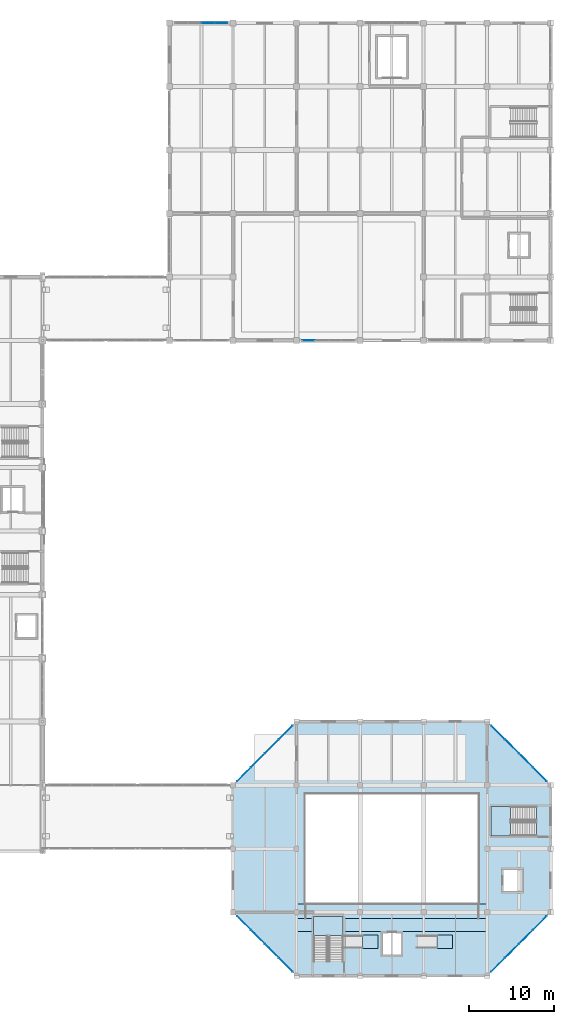
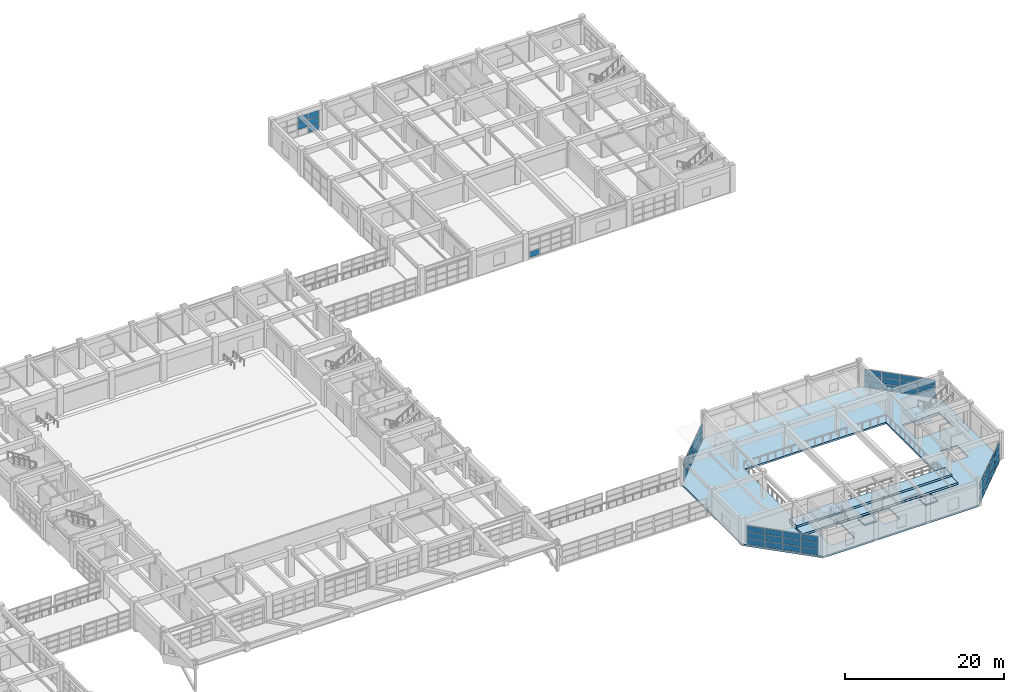
# One storey, part 91 of 132: 54 plates, 7 slabs, 8 elements without a shape of their own.
"""IFC4 building model written with IfcOpenShell, lengths in metres."""

from ifc_helpers import new_model, si_unit, direction, frame, origin, origin_2d, place, context, subcontext, project, spatial, polyline, rectangle, outline, extrude, material, layer, layer_set, type_object, element, aggregate, save


model = new_model("IFC4")

# Units and contexts
model_context = context("Model", 3, precision=1e-05, world=origin(), true_north=direction((0.0, 1.0)))
body_context = subcontext(model_context, "Body", "Model", "MODEL_VIEW")
ifc_project = project(units=[si_unit("LENGTHUNIT", "METRE"), si_unit("AREAUNIT", "SQUARE_METRE"), si_unit("VOLUMEUNIT", "CUBIC_METRE"), si_unit("PLANEANGLEUNIT", "RADIAN"), si_unit("MASSUNIT", "GRAM", prefix="KILO")], contexts=[model_context])

# Site, building, storey
site_placement = place(None, origin())
site = spatial("IfcSite", under=ifc_project, at=site_placement, CompositionType="ELEMENT")
building_placement = place(site_placement, origin())
building = spatial("IfcBuilding", under=site, at=building_placement, Name="Qasida Concert Hall", CompositionType="ELEMENT")
storey_placement = place(building_placement, frame((0.0, 0.0, 4.800048828125)))
storey = spatial("IfcBuildingStorey", under=building, at=storey_placement, Name="L01", CompositionType="ELEMENT", Elevation=4.800048828125)

# Curtain wall, plates
ifc_material_1 = material(Name="Architectural bronze-anodized aluminium and low-E glass", Category="aluminium")
curtain_wall_type_1 = type_object("IfcCurtainWallType", Name="CW-07", PredefinedType="NOTDEFINED", material=ifc_material_1)
curtain_wall_1_placement = place(storey_placement, origin())
curtain_wall_1 = element("IfcCurtainWall", 1, at=curtain_wall_1_placement, inside=storey, type_object=curtain_wall_type_1, Name="L01 curtain wall CW-07 0143", PredefinedType="NOTDEFINED")
ifc_material_2 = material(Name="Solar-control low-E double glazing", Category="glass")
ifc_layer_1 = layer(ifc_material_2, 0.031982421875, Name="Solar-control low-E double glazing")
ifc_layer_set_1 = layer_set([ifc_layer_1], Name="Solar-control low-E double glazing")
plate_type = type_object("IfcPlateType", Name="PLT-CWP-2", PredefinedType="CURTAIN_PANEL", material=ifc_layer_set_1)
plate_1_placement = place(storey_placement, frame((158.77783203125, 1.27783203125, 0.059814453125), z_axis=(0.0, 0.0, 1.0), x_axis=(0.707106781187, 0.707106781187, 0.0)))
plate_1 = element("IfcPlate", 2, at=plate_1_placement, type_object=plate_type, Name="CW-07 panel 1.1", PredefinedType="CURTAIN_PANEL", context=body_context, shape_type="SweptSolid", body=[
    extrude(rectangle(XDim=2.244140625, YDim=0.031982421875, at=origin_2d()), origin(), (0.0, 0.0, 1.0), 0.90673828125),
])
plate_2_placement = place(storey_placement, frame((158.77783203125, 1.27783203125, 1.026611328125), z_axis=(0.0, 0.0, 1.0), x_axis=(0.707106781187, 0.707106781187, 0.0)))
plate_2 = element("IfcPlate", 3, at=plate_2_placement, type_object=plate_type, Name="CW-07 panel 1.2", PredefinedType="CURTAIN_PANEL", context=body_context, shape_type="SweptSolid", body=[
    extrude(rectangle(XDim=2.244140625, YDim=0.031982421875, at=origin_2d()), origin(), (0.0, 0.0, 1.0), 0.9365234375),
])
plate_3_placement = place(storey_placement, frame((158.77783203125, 1.27783203125, 2.023193359375), z_axis=(0.0, 0.0, 1.0), x_axis=(0.707106781187, 0.707106781187, 0.0)))
plate_3 = element("IfcPlate", 4, at=plate_3_placement, type_object=plate_type, Name="CW-07 panel 1.3", PredefinedType="CURTAIN_PANEL", context=body_context, shape_type="SweptSolid", body=[
    extrude(rectangle(XDim=2.244140625, YDim=0.031982421875, at=origin_2d()), origin(), (0.0, 0.0, 1.0), 0.90673828125),
])
plate_4_placement = place(storey_placement, frame((160.422119140625, 2.922119140625, 0.059814453125), z_axis=(0.0, 0.0, 1.0), x_axis=(0.707106781187, 0.707106781187, 0.0)))
plate_4 = element("IfcPlate", 5, at=plate_4_placement, type_object=plate_type, Name="CW-07 panel 2.1", PredefinedType="CURTAIN_PANEL", context=body_context, shape_type="SweptSolid", body=[
    extrude(rectangle(XDim=2.276611328125, YDim=0.031982421875, at=origin_2d()), origin(), (0.0, 0.0, 1.0), 0.90673828125),
])
plate_5_placement = place(storey_placement, frame((160.422119140625, 2.922119140625, 1.026611328125), z_axis=(0.0, 0.0, 1.0), x_axis=(0.707106781187, 0.707106781187, 0.0)))
plate_5 = element("IfcPlate", 6, at=plate_5_placement, type_object=plate_type, Name="CW-07 panel 2.2", PredefinedType="CURTAIN_PANEL", context=body_context, shape_type="SweptSolid", body=[
    extrude(rectangle(XDim=2.276611328125, YDim=0.031982421875, at=origin_2d()), origin(), (0.0, 0.0, 1.0), 0.9365234375),
])
plate_6_placement = place(storey_placement, frame((160.422119140625, 2.922119140625, 2.023193359375), z_axis=(0.0, 0.0, 1.0), x_axis=(0.707106781187, 0.707106781187, 0.0)))
plate_6 = element("IfcPlate", 7, at=plate_6_placement, type_object=plate_type, Name="CW-07 panel 2.3", PredefinedType="CURTAIN_PANEL", context=body_context, shape_type="SweptSolid", body=[
    extrude(rectangle(XDim=2.276611328125, YDim=0.031982421875, at=origin_2d()), origin(), (0.0, 0.0, 1.0), 0.90673828125),
])
plate_7_placement = place(storey_placement, frame((162.077880859375, 4.577880859375, 0.059814453125), z_axis=(0.0, 0.0, 1.0), x_axis=(0.707106781187, 0.707106781187, 0.0)))
plate_7 = element("IfcPlate", 8, at=plate_7_placement, type_object=plate_type, Name="CW-07 panel 3.1", PredefinedType="CURTAIN_PANEL", context=body_context, shape_type="SweptSolid", body=[
    extrude(rectangle(XDim=2.276611328125, YDim=0.031982421875, at=origin_2d()), origin(), (0.0, 0.0, 1.0), 0.90673828125),
])
plate_8_placement = place(storey_placement, frame((162.077880859375, 4.577880859375, 1.026611328125), z_axis=(0.0, 0.0, 1.0), x_axis=(0.707106781187, 0.707106781187, 0.0)))
plate_8 = element("IfcPlate", 9, at=plate_8_placement, type_object=plate_type, Name="CW-07 panel 3.2", PredefinedType="CURTAIN_PANEL", context=body_context, shape_type="SweptSolid", body=[
    extrude(rectangle(XDim=2.276611328125, YDim=0.031982421875, at=origin_2d()), origin(), (0.0, 0.0, 1.0), 0.9365234375),
])
plate_9_placement = place(storey_placement, frame((162.077880859375, 4.577880859375, 2.023193359375), z_axis=(0.0, 0.0, 1.0), x_axis=(0.707106781187, 0.707106781187, 0.0)))
plate_9 = element("IfcPlate", 10, at=plate_9_placement, type_object=plate_type, Name="CW-07 panel 3.3", PredefinedType="CURTAIN_PANEL", context=body_context, shape_type="SweptSolid", body=[
    extrude(rectangle(XDim=2.276611328125, YDim=0.031982421875, at=origin_2d()), origin(), (0.0, 0.0, 1.0), 0.90673828125),
])
plate_10_placement = place(storey_placement, frame((163.72216796875, 6.22216796875, 0.059814453125), z_axis=(0.0, 0.0, 1.0), x_axis=(0.707106781187, 0.707106781187, 0.0)))
plate_10 = element("IfcPlate", 11, at=plate_10_placement, type_object=plate_type, Name="CW-07 panel 4.1", PredefinedType="CURTAIN_PANEL", context=body_context, shape_type="SweptSolid", body=[
    extrude(rectangle(XDim=2.244140625, YDim=0.031982421875, at=origin_2d()), origin(), (0.0, 0.0, 1.0), 0.90673828125),
])
plate_11_placement = place(storey_placement, frame((163.72216796875, 6.22216796875, 1.026611328125), z_axis=(0.0, 0.0, 1.0), x_axis=(0.707106781187, 0.707106781187, 0.0)))
plate_11 = element("IfcPlate", 12, at=plate_11_placement, type_object=plate_type, Name="CW-07 panel 4.2", PredefinedType="CURTAIN_PANEL", context=body_context, shape_type="SweptSolid", body=[
    extrude(rectangle(XDim=2.244140625, YDim=0.031982421875, at=origin_2d()), origin(), (0.0, 0.0, 1.0), 0.9365234375),
])
plate_12_placement = place(storey_placement, frame((163.72216796875, 6.22216796875, 2.023193359375), z_axis=(0.0, 0.0, 1.0), x_axis=(0.707106781187, 0.707106781187, 0.0)))
plate_12 = element("IfcPlate", 13, at=plate_12_placement, type_object=plate_type, Name="CW-07 panel 4.3", PredefinedType="CURTAIN_PANEL", context=body_context, shape_type="SweptSolid", body=[
    extrude(rectangle(XDim=2.244140625, YDim=0.031982421875, at=origin_2d()), origin(), (0.0, 0.0, 1.0), 0.90673828125),
])
aggregate(curtain_wall_1, [plate_1, plate_2, plate_3, plate_4, plate_5, plate_6, plate_7, plate_8, plate_9, plate_10, plate_11, plate_12])

curtain_wall_2_placement = place(storey_placement, origin())
curtain_wall_2 = element("IfcCurtainWall", 14, at=curtain_wall_2_placement, inside=storey, type_object=curtain_wall_type_1, Name="L01 curtain wall CW-07 0144", PredefinedType="NOTDEFINED")
plate_13_placement = place(storey_placement, frame((163.72216796875, 23.77783203125, 0.06005859375), z_axis=(0.0, 0.0, 1.0), x_axis=(-0.707106781187, 0.707106781187, 0.0)))
plate_13 = element("IfcPlate", 15, at=plate_13_placement, type_object=plate_type, Name="CW-07 panel 1.1", PredefinedType="CURTAIN_PANEL", context=body_context, shape_type="SweptSolid", body=[
    extrude(rectangle(XDim=2.244140625, YDim=0.031982421875, at=origin_2d()), origin(), (0.0, 0.0, 1.0), 0.856689453125),
])
plate_14_placement = place(storey_placement, frame((163.72216796875, 23.77783203125, 0.9765625), z_axis=(0.0, 0.0, 1.0), x_axis=(-0.707106781187, 0.707106781187, 0.0)))
plate_14 = element("IfcPlate", 16, at=plate_14_placement, type_object=plate_type, Name="CW-07 panel 1.2", PredefinedType="CURTAIN_PANEL", context=body_context, shape_type="SweptSolid", body=[
    extrude(rectangle(XDim=2.244140625, YDim=0.031982421875, at=origin_2d()), origin(), (0.0, 0.0, 1.0), 0.88671875),
])
plate_15_placement = place(storey_placement, frame((163.72216796875, 23.77783203125, 1.92333984375), z_axis=(0.0, 0.0, 1.0), x_axis=(-0.707106781187, 0.707106781187, 0.0)))
plate_15 = element("IfcPlate", 17, at=plate_15_placement, type_object=plate_type, Name="CW-07 panel 1.3", PredefinedType="CURTAIN_PANEL", context=body_context, shape_type="SweptSolid", body=[
    extrude(rectangle(XDim=2.244140625, YDim=0.031982421875, at=origin_2d()), origin(), (0.0, 0.0, 1.0), 0.856689453125),
])
plate_16_placement = place(storey_placement, frame((162.077880859375, 25.422119140625, 0.06005859375), z_axis=(0.0, 0.0, 1.0), x_axis=(-0.707106781187, 0.707106781187, 0.0)))
plate_16 = element("IfcPlate", 18, at=plate_16_placement, type_object=plate_type, Name="CW-07 panel 2.1", PredefinedType="CURTAIN_PANEL", context=body_context, shape_type="SweptSolid", body=[
    extrude(rectangle(XDim=2.276611328125, YDim=0.031982421875, at=origin_2d()), origin(), (0.0, 0.0, 1.0), 0.856689453125),
])
plate_17_placement = place(storey_placement, frame((162.077880859375, 25.422119140625, 0.9765625), z_axis=(0.0, 0.0, 1.0), x_axis=(-0.707106781187, 0.707106781187, 0.0)))
plate_17 = element("IfcPlate", 19, at=plate_17_placement, type_object=plate_type, Name="CW-07 panel 2.2", PredefinedType="CURTAIN_PANEL", context=body_context, shape_type="SweptSolid", body=[
    extrude(rectangle(XDim=2.276611328125, YDim=0.031982421875, at=origin_2d()), origin(), (0.0, 0.0, 1.0), 0.88671875),
])
plate_18_placement = place(storey_placement, frame((162.077880859375, 25.422119140625, 1.92333984375), z_axis=(0.0, 0.0, 1.0), x_axis=(-0.707106781187, 0.707106781187, 0.0)))
plate_18 = element("IfcPlate", 20, at=plate_18_placement, type_object=plate_type, Name="CW-07 panel 2.3", PredefinedType="CURTAIN_PANEL", context=body_context, shape_type="SweptSolid", body=[
    extrude(rectangle(XDim=2.276611328125, YDim=0.031982421875, at=origin_2d()), origin(), (0.0, 0.0, 1.0), 0.856689453125),
])
plate_19_placement = place(storey_placement, frame((160.422119140625, 27.077880859375, 0.06005859375), z_axis=(0.0, 0.0, 1.0), x_axis=(-0.707106781187, 0.707106781187, 0.0)))
plate_19 = element("IfcPlate", 21, at=plate_19_placement, type_object=plate_type, Name="CW-07 panel 3.1", PredefinedType="CURTAIN_PANEL", context=body_context, shape_type="SweptSolid", body=[
    extrude(rectangle(XDim=2.276611328125, YDim=0.031982421875, at=origin_2d()), origin(), (0.0, 0.0, 1.0), 0.856689453125),
])
plate_20_placement = place(storey_placement, frame((160.422119140625, 27.077880859375, 0.9765625), z_axis=(0.0, 0.0, 1.0), x_axis=(-0.707106781187, 0.707106781187, 0.0)))
plate_20 = element("IfcPlate", 22, at=plate_20_placement, type_object=plate_type, Name="CW-07 panel 3.2", PredefinedType="CURTAIN_PANEL", context=body_context, shape_type="SweptSolid", body=[
    extrude(rectangle(XDim=2.276611328125, YDim=0.031982421875, at=origin_2d()), origin(), (0.0, 0.0, 1.0), 0.88671875),
])
plate_21_placement = place(storey_placement, frame((160.422119140625, 27.077880859375, 1.92333984375), z_axis=(0.0, 0.0, 1.0), x_axis=(-0.707106781187, 0.707106781187, 0.0)))
plate_21 = element("IfcPlate", 23, at=plate_21_placement, type_object=plate_type, Name="CW-07 panel 3.3", PredefinedType="CURTAIN_PANEL", context=body_context, shape_type="SweptSolid", body=[
    extrude(rectangle(XDim=2.276611328125, YDim=0.031982421875, at=origin_2d()), origin(), (0.0, 0.0, 1.0), 0.856689453125),
])
plate_22_placement = place(storey_placement, frame((158.77783203125, 28.72216796875, 0.06005859375), z_axis=(0.0, 0.0, 1.0), x_axis=(-0.707106781187, 0.707106781187, 0.0)))
plate_22 = element("IfcPlate", 24, at=plate_22_placement, type_object=plate_type, Name="CW-07 panel 4.1", PredefinedType="CURTAIN_PANEL", context=body_context, shape_type="SweptSolid", body=[
    extrude(rectangle(XDim=2.244140625, YDim=0.031982421875, at=origin_2d()), origin(), (0.0, 0.0, 1.0), 0.856689453125),
])
plate_23_placement = place(storey_placement, frame((158.77783203125, 28.72216796875, 0.9765625), z_axis=(0.0, 0.0, 1.0), x_axis=(-0.707106781187, 0.707106781187, 0.0)))
plate_23 = element("IfcPlate", 25, at=plate_23_placement, type_object=plate_type, Name="CW-07 panel 4.2", PredefinedType="CURTAIN_PANEL", context=body_context, shape_type="SweptSolid", body=[
    extrude(rectangle(XDim=2.244140625, YDim=0.031982421875, at=origin_2d()), origin(), (0.0, 0.0, 1.0), 0.88671875),
])
plate_24_placement = place(storey_placement, frame((158.77783203125, 28.72216796875, 1.92333984375), z_axis=(0.0, 0.0, 1.0), x_axis=(-0.707106781187, 0.707106781187, 0.0)))
plate_24 = element("IfcPlate", 26, at=plate_24_placement, type_object=plate_type, Name="CW-07 panel 4.3", PredefinedType="CURTAIN_PANEL", context=body_context, shape_type="SweptSolid", body=[
    extrude(rectangle(XDim=2.244140625, YDim=0.031982421875, at=origin_2d()), origin(), (0.0, 0.0, 1.0), 0.856689453125),
])
aggregate(curtain_wall_2, [plate_13, plate_14, plate_15, plate_16, plate_17, plate_18, plate_19, plate_20, plate_21, plate_22, plate_23, plate_24])

curtain_wall_3_placement = place(storey_placement, origin())
curtain_wall_3 = element("IfcCurtainWall", 27, at=curtain_wall_3_placement, inside=storey, type_object=curtain_wall_type_1, Name="L01 curtain wall CW-07 0145", PredefinedType="NOTDEFINED")
plate_25_placement = place(storey_placement, frame((133.72216796875, 28.72216796875, 0.06005859375), z_axis=(0.0, 0.0, 1.0), x_axis=(-0.707106781187, -0.707106781187, 0.0)))
plate_25 = element("IfcPlate", 28, at=plate_25_placement, type_object=plate_type, Name="CW-07 panel 1.1", PredefinedType="CURTAIN_PANEL", context=body_context, shape_type="SweptSolid", body=[
    extrude(rectangle(XDim=2.244140625, YDim=0.031982421875, at=origin_2d()), origin(), (0.0, 0.0, 1.0), 0.889892578125),
])
plate_26_placement = place(storey_placement, frame((133.72216796875, 28.72216796875, 1.010009765625), z_axis=(0.0, 0.0, 1.0), x_axis=(-0.707106781187, -0.707106781187, 0.0)))
plate_26 = element("IfcPlate", 29, at=plate_26_placement, type_object=plate_type, Name="CW-07 panel 1.2", PredefinedType="CURTAIN_PANEL", context=body_context, shape_type="SweptSolid", body=[
    extrude(rectangle(XDim=2.244140625, YDim=0.031982421875, at=origin_2d()), origin(), (0.0, 0.0, 1.0), 0.919921875),
])
plate_27_placement = place(storey_placement, frame((133.72216796875, 28.72216796875, 1.990234375), z_axis=(0.0, 0.0, 1.0), x_axis=(-0.707106781187, -0.707106781187, 0.0)))
plate_27 = element("IfcPlate", 30, at=plate_27_placement, type_object=plate_type, Name="CW-07 panel 1.3", PredefinedType="CURTAIN_PANEL", context=body_context, shape_type="SweptSolid", body=[
    extrude(rectangle(XDim=2.244140625, YDim=0.031982421875, at=origin_2d()), origin(), (0.0, 0.0, 1.0), 0.889892578125),
])
plate_28_placement = place(storey_placement, frame((132.077880859375, 27.077880859375, 0.06005859375), z_axis=(0.0, 0.0, 1.0), x_axis=(-0.707106781187, -0.707106781187, 0.0)))
plate_28 = element("IfcPlate", 31, at=plate_28_placement, type_object=plate_type, Name="CW-07 panel 2.1", PredefinedType="CURTAIN_PANEL", context=body_context, shape_type="SweptSolid", body=[
    extrude(rectangle(XDim=2.276611328125, YDim=0.031982421875, at=origin_2d()), origin(), (0.0, 0.0, 1.0), 0.889892578125),
])
plate_29_placement = place(storey_placement, frame((132.077880859375, 27.077880859375, 1.010009765625), z_axis=(0.0, 0.0, 1.0), x_axis=(-0.707106781187, -0.707106781187, 0.0)))
plate_29 = element("IfcPlate", 32, at=plate_29_placement, type_object=plate_type, Name="CW-07 panel 2.2", PredefinedType="CURTAIN_PANEL", context=body_context, shape_type="SweptSolid", body=[
    extrude(rectangle(XDim=2.276611328125, YDim=0.031982421875, at=origin_2d()), origin(), (0.0, 0.0, 1.0), 0.919921875),
])
plate_30_placement = place(storey_placement, frame((132.077880859375, 27.077880859375, 1.990234375), z_axis=(0.0, 0.0, 1.0), x_axis=(-0.707106781187, -0.707106781187, 0.0)))
plate_30 = element("IfcPlate", 33, at=plate_30_placement, type_object=plate_type, Name="CW-07 panel 2.3", PredefinedType="CURTAIN_PANEL", context=body_context, shape_type="SweptSolid", body=[
    extrude(rectangle(XDim=2.276611328125, YDim=0.031982421875, at=origin_2d()), origin(), (0.0, 0.0, 1.0), 0.889892578125),
])
plate_31_placement = place(storey_placement, frame((130.422119140625, 25.422119140625, 0.06005859375), z_axis=(0.0, 0.0, 1.0), x_axis=(-0.707106781187, -0.707106781187, 0.0)))
plate_31 = element("IfcPlate", 34, at=plate_31_placement, type_object=plate_type, Name="CW-07 panel 3.1", PredefinedType="CURTAIN_PANEL", context=body_context, shape_type="SweptSolid", body=[
    extrude(rectangle(XDim=2.276611328125, YDim=0.031982421875, at=origin_2d()), origin(), (0.0, 0.0, 1.0), 0.889892578125),
])
plate_32_placement = place(storey_placement, frame((130.422119140625, 25.422119140625, 1.010009765625), z_axis=(0.0, 0.0, 1.0), x_axis=(-0.707106781187, -0.707106781187, 0.0)))
plate_32 = element("IfcPlate", 35, at=plate_32_placement, type_object=plate_type, Name="CW-07 panel 3.2", PredefinedType="CURTAIN_PANEL", context=body_context, shape_type="SweptSolid", body=[
    extrude(rectangle(XDim=2.276611328125, YDim=0.031982421875, at=origin_2d()), origin(), (0.0, 0.0, 1.0), 0.919921875),
])
plate_33_placement = place(storey_placement, frame((130.422119140625, 25.422119140625, 1.990234375), z_axis=(0.0, 0.0, 1.0), x_axis=(-0.707106781187, -0.707106781187, 0.0)))
plate_33 = element("IfcPlate", 36, at=plate_33_placement, type_object=plate_type, Name="CW-07 panel 3.3", PredefinedType="CURTAIN_PANEL", context=body_context, shape_type="SweptSolid", body=[
    extrude(rectangle(XDim=2.276611328125, YDim=0.031982421875, at=origin_2d()), origin(), (0.0, 0.0, 1.0), 0.889892578125),
])
plate_34_placement = place(storey_placement, frame((128.77783203125, 23.77783203125, 0.06005859375), z_axis=(0.0, 0.0, 1.0), x_axis=(-0.707106781187, -0.707106781187, 0.0)))
plate_34 = element("IfcPlate", 37, at=plate_34_placement, type_object=plate_type, Name="CW-07 panel 4.1", PredefinedType="CURTAIN_PANEL", context=body_context, shape_type="SweptSolid", body=[
    extrude(rectangle(XDim=2.244140625, YDim=0.031982421875, at=origin_2d()), origin(), (0.0, 0.0, 1.0), 0.889892578125),
])
plate_35_placement = place(storey_placement, frame((128.77783203125, 23.77783203125, 1.010009765625), z_axis=(0.0, 0.0, 1.0), x_axis=(-0.707106781187, -0.707106781187, 0.0)))
plate_35 = element("IfcPlate", 38, at=plate_35_placement, type_object=plate_type, Name="CW-07 panel 4.2", PredefinedType="CURTAIN_PANEL", context=body_context, shape_type="SweptSolid", body=[
    extrude(rectangle(XDim=2.244140625, YDim=0.031982421875, at=origin_2d()), origin(), (0.0, 0.0, 1.0), 0.919921875),
])
plate_36_placement = place(storey_placement, frame((128.77783203125, 23.77783203125, 1.990234375), z_axis=(0.0, 0.0, 1.0), x_axis=(-0.707106781187, -0.707106781187, 0.0)))
plate_36 = element("IfcPlate", 39, at=plate_36_placement, type_object=plate_type, Name="CW-07 panel 4.3", PredefinedType="CURTAIN_PANEL", context=body_context, shape_type="SweptSolid", body=[
    extrude(rectangle(XDim=2.244140625, YDim=0.031982421875, at=origin_2d()), origin(), (0.0, 0.0, 1.0), 0.889892578125),
])
aggregate(curtain_wall_3, [plate_25, plate_26, plate_27, plate_28, plate_29, plate_30, plate_31, plate_32, plate_33, plate_34, plate_35, plate_36])

curtain_wall_4_placement = place(storey_placement, origin())
curtain_wall_4 = element("IfcCurtainWall", 40, at=curtain_wall_4_placement, inside=storey, type_object=curtain_wall_type_1, Name="L01 curtain wall CW-07 0146", PredefinedType="NOTDEFINED")
plate_37_placement = place(storey_placement, frame((128.77783203125, 6.22216796875, 0.059814453125), z_axis=(0.0, 0.0, 1.0), x_axis=(0.707106781187, -0.707106781187, 0.0)))
plate_37 = element("IfcPlate", 41, at=plate_37_placement, type_object=plate_type, Name="CW-07 panel 1.1", PredefinedType="CURTAIN_PANEL", context=body_context, shape_type="SweptSolid", body=[
    extrude(rectangle(XDim=2.244140625, YDim=0.031982421875, at=origin_2d()), origin(), (0.0, 0.0, 1.0), 0.90673828125),
])
plate_38_placement = place(storey_placement, frame((128.77783203125, 6.22216796875, 1.026611328125), z_axis=(0.0, 0.0, 1.0), x_axis=(0.707106781187, -0.707106781187, 0.0)))
plate_38 = element("IfcPlate", 42, at=plate_38_placement, type_object=plate_type, Name="CW-07 panel 1.2", PredefinedType="CURTAIN_PANEL", context=body_context, shape_type="SweptSolid", body=[
    extrude(rectangle(XDim=2.244140625, YDim=0.031982421875, at=origin_2d()), origin(), (0.0, 0.0, 1.0), 0.9365234375),
])
plate_39_placement = place(storey_placement, frame((128.77783203125, 6.22216796875, 2.023193359375), z_axis=(0.0, 0.0, 1.0), x_axis=(0.707106781187, -0.707106781187, 0.0)))
plate_39 = element("IfcPlate", 43, at=plate_39_placement, type_object=plate_type, Name="CW-07 panel 1.3", PredefinedType="CURTAIN_PANEL", context=body_context, shape_type="SweptSolid", body=[
    extrude(rectangle(XDim=2.244140625, YDim=0.031982421875, at=origin_2d()), origin(), (0.0, 0.0, 1.0), 0.90673828125),
])
plate_40_placement = place(storey_placement, frame((130.422119140625, 4.577880859375, 0.059814453125), z_axis=(0.0, 0.0, 1.0), x_axis=(0.707106781187, -0.707106781187, 0.0)))
plate_40 = element("IfcPlate", 44, at=plate_40_placement, type_object=plate_type, Name="CW-07 panel 2.1", PredefinedType="CURTAIN_PANEL", context=body_context, shape_type="SweptSolid", body=[
    extrude(rectangle(XDim=2.276611328125, YDim=0.031982421875, at=origin_2d()), origin(), (0.0, 0.0, 1.0), 0.90673828125),
])
plate_41_placement = place(storey_placement, frame((130.422119140625, 4.577880859375, 1.026611328125), z_axis=(0.0, 0.0, 1.0), x_axis=(0.707106781187, -0.707106781187, 0.0)))
plate_41 = element("IfcPlate", 45, at=plate_41_placement, type_object=plate_type, Name="CW-07 panel 2.2", PredefinedType="CURTAIN_PANEL", context=body_context, shape_type="SweptSolid", body=[
    extrude(rectangle(XDim=2.276611328125, YDim=0.031982421875, at=origin_2d()), origin(), (0.0, 0.0, 1.0), 0.9365234375),
])
plate_42_placement = place(storey_placement, frame((130.422119140625, 4.577880859375, 2.023193359375), z_axis=(0.0, 0.0, 1.0), x_axis=(0.707106781187, -0.707106781187, 0.0)))
plate_42 = element("IfcPlate", 46, at=plate_42_placement, type_object=plate_type, Name="CW-07 panel 2.3", PredefinedType="CURTAIN_PANEL", context=body_context, shape_type="SweptSolid", body=[
    extrude(rectangle(XDim=2.276611328125, YDim=0.031982421875, at=origin_2d()), origin(), (0.0, 0.0, 1.0), 0.90673828125),
])
plate_43_placement = place(storey_placement, frame((132.077880859375, 2.922119140625, 0.059814453125), z_axis=(0.0, 0.0, 1.0), x_axis=(0.707106781187, -0.707106781187, 0.0)))
plate_43 = element("IfcPlate", 47, at=plate_43_placement, type_object=plate_type, Name="CW-07 panel 3.1", PredefinedType="CURTAIN_PANEL", context=body_context, shape_type="SweptSolid", body=[
    extrude(rectangle(XDim=2.276611328125, YDim=0.031982421875, at=origin_2d()), origin(), (0.0, 0.0, 1.0), 0.90673828125),
])
plate_44_placement = place(storey_placement, frame((132.077880859375, 2.922119140625, 1.026611328125), z_axis=(0.0, 0.0, 1.0), x_axis=(0.707106781187, -0.707106781187, 0.0)))
plate_44 = element("IfcPlate", 48, at=plate_44_placement, type_object=plate_type, Name="CW-07 panel 3.2", PredefinedType="CURTAIN_PANEL", context=body_context, shape_type="SweptSolid", body=[
    extrude(rectangle(XDim=2.276611328125, YDim=0.031982421875, at=origin_2d()), origin(), (0.0, 0.0, 1.0), 0.9365234375),
])
plate_45_placement = place(storey_placement, frame((132.077880859375, 2.922119140625, 2.023193359375), z_axis=(0.0, 0.0, 1.0), x_axis=(0.707106781187, -0.707106781187, 0.0)))
plate_45 = element("IfcPlate", 49, at=plate_45_placement, type_object=plate_type, Name="CW-07 panel 3.3", PredefinedType="CURTAIN_PANEL", context=body_context, shape_type="SweptSolid", body=[
    extrude(rectangle(XDim=2.276611328125, YDim=0.031982421875, at=origin_2d()), origin(), (0.0, 0.0, 1.0), 0.90673828125),
])
plate_46_placement = place(storey_placement, frame((133.72216796875, 1.27783203125, 0.059814453125), z_axis=(0.0, 0.0, 1.0), x_axis=(0.707106781187, -0.707106781187, 0.0)))
plate_46 = element("IfcPlate", 50, at=plate_46_placement, type_object=plate_type, Name="CW-07 panel 4.1", PredefinedType="CURTAIN_PANEL", context=body_context, shape_type="SweptSolid", body=[
    extrude(rectangle(XDim=2.244140625, YDim=0.031982421875, at=origin_2d()), origin(), (0.0, 0.0, 1.0), 0.90673828125),
])
plate_47_placement = place(storey_placement, frame((133.72216796875, 1.27783203125, 1.026611328125), z_axis=(0.0, 0.0, 1.0), x_axis=(0.707106781187, -0.707106781187, 0.0)))
plate_47 = element("IfcPlate", 51, at=plate_47_placement, type_object=plate_type, Name="CW-07 panel 4.2", PredefinedType="CURTAIN_PANEL", context=body_context, shape_type="SweptSolid", body=[
    extrude(rectangle(XDim=2.244140625, YDim=0.031982421875, at=origin_2d()), origin(), (0.0, 0.0, 1.0), 0.9365234375),
])
plate_48_placement = place(storey_placement, frame((133.72216796875, 1.27783203125, 2.023193359375), z_axis=(0.0, 0.0, 1.0), x_axis=(0.707106781187, -0.707106781187, 0.0)))
plate_48 = element("IfcPlate", 52, at=plate_48_placement, type_object=plate_type, Name="CW-07 panel 4.3", PredefinedType="CURTAIN_PANEL", context=body_context, shape_type="SweptSolid", body=[
    extrude(rectangle(XDim=2.244140625, YDim=0.031982421875, at=origin_2d()), origin(), (0.0, 0.0, 1.0), 0.90673828125),
])
aggregate(curtain_wall_4, [plate_37, plate_38, plate_39, plate_40, plate_41, plate_42, plate_43, plate_44, plate_45, plate_46, plate_47, plate_48])

curtain_wall_type_2 = type_object("IfcCurtainWallType", Name="CW-04", PredefinedType="NOTDEFINED", material=ifc_material_1)
curtain_wall_5_placement = place(storey_placement, origin())
curtain_wall_5 = element("IfcCurtainWall", 53, at=curtain_wall_5_placement, inside=storey, type_object=curtain_wall_type_2, Name="L01 curtain wall CW-04 0161", PredefinedType="NOTDEFINED")
plate_49_placement = place(storey_placement, frame((124.532470703125, 112.5, 1.07666015625), z_axis=(0.0, 0.0, 1.0), x_axis=(1.0, 0.0, 0.0)))
plate_49 = element("IfcPlate", 54, at=plate_49_placement, type_object=plate_type, Name="CW-04 panel 3.2", PredefinedType="CURTAIN_PANEL", context=body_context, shape_type="SweptSolid", body=[
    extrude(rectangle(XDim=1.5, YDim=0.031982421875, at=origin_2d()), origin(), (0.0, 0.0, 1.0), 0.986572265625),
])
plate_50_placement = place(storey_placement, frame((124.532470703125, 112.5, 2.123046875), z_axis=(0.0, 0.0, 1.0), x_axis=(1.0, 0.0, 0.0)))
plate_50 = element("IfcPlate", 55, at=plate_50_placement, type_object=plate_type, Name="CW-04 panel 3.3", PredefinedType="CURTAIN_PANEL", context=body_context, shape_type="SweptSolid", body=[
    extrude(rectangle(XDim=1.5, YDim=0.031982421875, at=origin_2d()), origin(), (0.0, 0.0, 1.0), 0.956787109375),
])
plate_51_placement = place(storey_placement, frame((126.081298828125, 112.5, 0.06005859375), z_axis=(0.0, 0.0, 1.0), x_axis=(1.0, 0.0, 0.0)))
plate_51 = element("IfcPlate", 56, at=plate_51_placement, type_object=plate_type, Name="CW-04 panel 4.1", PredefinedType="CURTAIN_PANEL", context=body_context, shape_type="SweptSolid", body=[
    extrude(rectangle(XDim=1.467529296875, YDim=0.031982421875, at=origin_2d()), origin(), (0.0, 0.0, 1.0), 0.956787109375),
])
plate_52_placement = place(storey_placement, frame((126.081298828125, 112.5, 1.07666015625), z_axis=(0.0, 0.0, 1.0), x_axis=(1.0, 0.0, 0.0)))
plate_52 = element("IfcPlate", 57, at=plate_52_placement, type_object=plate_type, Name="CW-04 panel 4.2", PredefinedType="CURTAIN_PANEL", context=body_context, shape_type="SweptSolid", body=[
    extrude(rectangle(XDim=1.467529296875, YDim=0.031982421875, at=origin_2d()), origin(), (0.0, 0.0, 1.0), 0.986572265625),
])
plate_53_placement = place(storey_placement, frame((126.081298828125, 112.5, 2.123046875), z_axis=(0.0, 0.0, 1.0), x_axis=(1.0, 0.0, 0.0)))
plate_53 = element("IfcPlate", 58, at=plate_53_placement, type_object=plate_type, Name="CW-04 panel 4.3", PredefinedType="CURTAIN_PANEL", context=body_context, shape_type="SweptSolid", body=[
    extrude(rectangle(XDim=1.467529296875, YDim=0.031982421875, at=origin_2d()), origin(), (0.0, 0.0, 1.0), 0.956787109375),
])
aggregate(curtain_wall_5, [plate_49, plate_50, plate_51, plate_52, plate_53])

# Curtain wall, plate
curtain_wall_type_3 = type_object("IfcCurtainWallType", Name="CW-03", PredefinedType="NOTDEFINED", material=ifc_material_1)
curtain_wall_6_placement = place(storey_placement, origin())
curtain_wall_6 = element("IfcCurtainWall", 59, at=curtain_wall_6_placement, inside=storey, type_object=curtain_wall_type_3, Name="L01 curtain wall CW-03 0162", PredefinedType="NOTDEFINED")
plate_54_placement = place(storey_placement, frame((136.418701171875, 75.0, 0.06005859375), z_axis=(0.0, 0.0, 1.0), x_axis=(1.0, 0.0, 0.0)))
plate_54 = element("IfcPlate", 60, at=plate_54_placement, type_object=plate_type, Name="CW-03 panel 1.1", PredefinedType="CURTAIN_PANEL", context=body_context, shape_type="SweptSolid", body=[
    extrude(rectangle(XDim=1.467529296875, YDim=0.031982421875, at=origin_2d()), origin(), (0.0, 0.0, 1.0), 0.873291015625),
])
aggregate(curtain_wall_6, [plate_54])

# Slabs
ifc_material_3 = material(Name="Concrete C40/50", Category="concrete")
ifc_layer_2 = layer(ifc_material_3, 0.179931640625, Name="Concrete C40/50")
ifc_layer_set_2 = layer_set([ifc_layer_2], Name="Concrete C40/50")
slab_type_1 = type_object("IfcSlabType", Name="SL-FS-180", PredefinedType="FLOOR", material=ifc_layer_set_2)
slab_1_placement = place(storey_placement, origin())
element("IfcSlab", 61, at=slab_1_placement, inside=storey, type_object=slab_type_1, Name="Chamber balcony threshold landing 1", PredefinedType="FLOOR", context=body_context, shape_type="SweptSolid", body=[
    extrude(outline(polyline([(142.800048828125, 3.199951171875), (144.60009765625, 3.199951171875), (144.60009765625, 4.800048828125), (142.800048828125, 4.800048828125), (142.800048828125, 3.199951171875)])), origin(), (0.0, 0.0, 1.0), 0.179931640625),
])
slab_2_placement = place(storey_placement, origin())
element("IfcSlab", 62, at=slab_2_placement, inside=storey, type_object=slab_type_1, Name="Chamber balcony threshold landing 2", PredefinedType="FLOOR", context=body_context, shape_type="SweptSolid", body=[
    extrude(outline(polyline([(151.60009765625, 3.199951171875), (153.39990234375, 3.199951171875), (153.39990234375, 4.800048828125), (151.60009765625, 4.800048828125), (151.60009765625, 3.199951171875)])), origin(), (0.0, 0.0, 1.0), 0.179931640625),
])
ifc_layer_3 = layer(ifc_material_3, 0.260009765625, Name="Concrete C40/50")
ifc_layer_set_3 = layer_set([ifc_layer_3], Name="Concrete C40/50")
slab_type_2 = type_object("IfcSlabType", Name="SL-FS-260", PredefinedType="FLOOR", material=ifc_layer_set_3)
slab_3_placement = place(storey_placement, frame((0.0, 0.0, -0.260009765625)))
element("IfcSlab", 63, at=slab_3_placement, inside=storey, type_object=slab_type_2, Name="V2 chamber balcony (FS-260)", PredefinedType="FLOOR", context=body_context, shape_type="SweptSolid", body=[
    extrude(outline(polyline([(135.0, 0.0), (157.5, 0.0), (165.0, 7.5), (165.0, 22.5), (157.5, 30.0), (135.0, 30.0), (127.5, 22.5), (127.5, 7.5), (135.0, 0.0)]), holes=[polyline([(137.0, 1.659912109375), (140.5, 1.659912109375), (140.5, 7.02001953125), (137.0, 7.02001953125), (137.0, 1.659912109375)]), polyline([(145.050048828125, 2.35009765625), (147.449951171875, 2.35009765625), (147.449951171875, 5.14990234375), (145.050048828125, 5.14990234375), (145.050048828125, 2.35009765625)]), polyline([(136.0, 8.5), (156.5, 8.5), (156.5, 21.5), (136.0, 21.5), (136.0, 8.5)]), polyline([(159.300048828125, 9.85009765625), (161.699951171875, 9.85009765625), (161.699951171875, 12.64990234375), (159.300048828125, 12.64990234375), (159.300048828125, 9.85009765625)]), polyline([(157.97998046875, 16.5), (163.340087890625, 16.5), (163.340087890625, 20.0), (157.97998046875, 20.0), (157.97998046875, 16.5)])]), origin(), (0.0, 0.0, 1.0), 0.260009765625),
])

# Stair, slab
stair_type = type_object("IfcStairType", Name="ST-DL-165", PredefinedType="HALF_TURN_STAIR", material=ifc_material_3)
stair_1_placement = place(storey_placement, origin())
stair_1 = element("IfcStair", 64, at=stair_1_placement, inside=storey, type_object=stair_type, Name="L01 Exit stair ST-09", PredefinedType="HALF_TURN_STAIR")
ifc_layer_4 = layer(ifc_material_3, 0.199951171875, Name="Concrete C40/50")
ifc_layer_set_4 = layer_set([ifc_layer_4], Name="Concrete C40/50")
slab_type_3 = type_object("IfcSlabType", Name="SL-LND-200", PredefinedType="LANDING", material=ifc_layer_set_4)
slab_4_placement = place(storey_placement, frame((0.0, 0.0, 1.89990234375)))
slab_4 = element("IfcSlab", 65, at=slab_4_placement, type_object=slab_type_3, Name="ST-09 landing 1", PredefinedType="LANDING", context=body_context, shape_type="SweptSolid", body=[
    extrude(outline(polyline([(140.5, 4.72998046875), (140.5, 7.02001953125), (137.0, 7.02001953125), (137.0, 4.72998046875), (140.5, 4.72998046875)])), origin(), (0.0, 0.0, 1.0), 0.199951171875),
])
aggregate(stair_1, [slab_4])

stair_2_placement = place(storey_placement, origin())
stair_2 = element("IfcStair", 66, at=stair_2_placement, inside=storey, type_object=stair_type, Name="L01 Exit stair ST-10", PredefinedType="HALF_TURN_STAIR")
slab_5_placement = place(storey_placement, frame((0.0, 0.0, 1.89990234375)))
slab_5 = element("IfcSlab", 67, at=slab_5_placement, type_object=slab_type_3, Name="ST-10 landing 1", PredefinedType="LANDING", context=body_context, shape_type="SweptSolid", body=[
    extrude(outline(polyline([(160.27001953125, 20.0), (157.97998046875, 20.0), (157.97998046875, 16.5), (160.27001953125, 16.5), (160.27001953125, 20.0)])), origin(), (0.0, 0.0, 1.0), 0.199951171875),
])
aggregate(stair_2, [slab_5])

# Slabs
ifc_layer_5 = layer(ifc_material_3, 0.199951171875, Name="Concrete C40/50")
ifc_layer_set_5 = layer_set([ifc_layer_5], Name="Concrete C40/50")
slab_type_4 = type_object("IfcSlabType", Name="SL-ST-TIER-200", PredefinedType="USERDEFINED", material=ifc_layer_set_5)
slab_6_placement = place(storey_placement, origin())
element("IfcSlab", 68, at=slab_6_placement, inside=storey, type_object=slab_type_4, Name="Stand chamber balcony tier 1", ObjectType="SEATING TIER", PredefinedType="USERDEFINED", context=body_context, shape_type="SweptSolid", body=[
    extrude(outline(polyline([(135.0, 5.199951171875), (157.5, 5.199951171875), (157.5, 6.75), (135.0, 6.75), (135.0, 5.199951171875)])), origin(), (0.0, 0.0, 1.0), 0.300048828125),
])
slab_7_placement = place(storey_placement, origin())
element("IfcSlab", 69, at=slab_7_placement, inside=storey, type_object=slab_type_4, Name="Stand chamber balcony tier 2", ObjectType="SEATING TIER", PredefinedType="USERDEFINED", context=body_context, shape_type="SweptSolid", body=[
    extrude(outline(polyline([(135.0, 6.75), (157.5, 6.75), (157.5, 8.5), (135.0, 8.5), (135.0, 6.75)])), origin(), (0.0, 0.0, 1.0), 0.599853515625),
])

save(model, "model.ifc")
